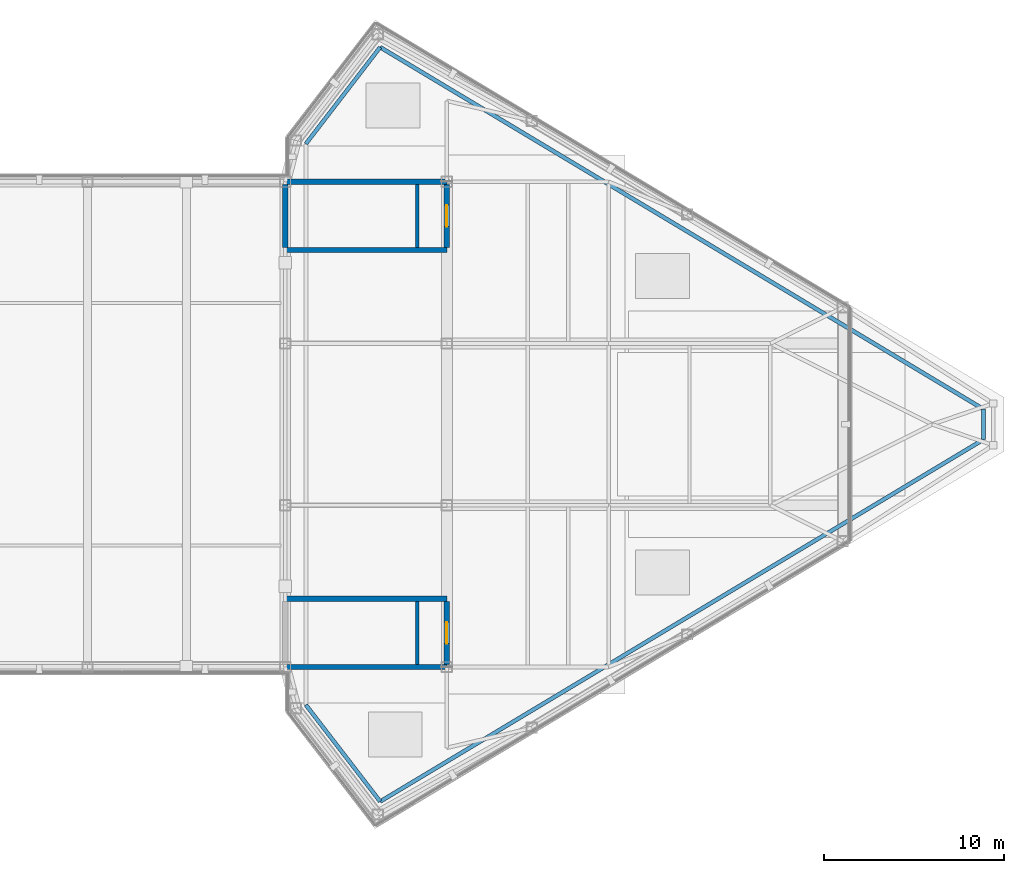
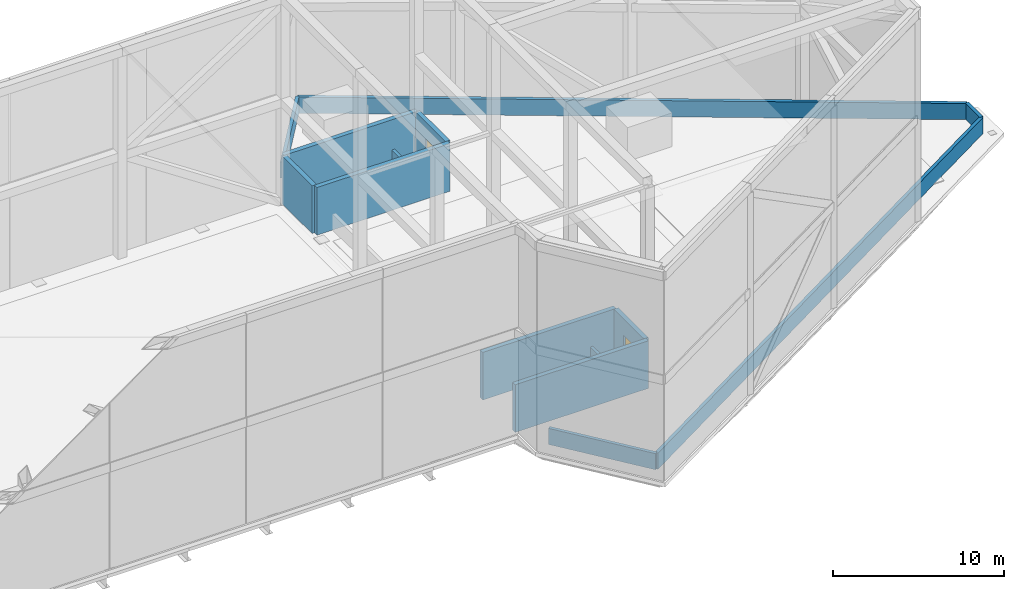
# One storey, part 9 of 16: 14 walls, 2 doors, 2 openings.
"""IFC4 building model written with IfcOpenShell, lengths in metres."""

from ifc_helpers import new_model, si_unit, direction, frame, frame_2d, origin, place, context, subcontext, project, spatial, rectangle, extrude, source, transform, mapped, material, layer, layer_set, type_object, type_shapes, element, fill, save


model = new_model("IFC4")

# Units and contexts
model_context = context("Model", 3, precision=1e-05, world=origin(), true_north=direction((0.0, 1.0)))
body_context = subcontext(model_context, "Body", "Model", "MODEL_VIEW")
ifc_project = project(units=[si_unit("LENGTHUNIT", "METRE"), si_unit("AREAUNIT", "SQUARE_METRE"), si_unit("VOLUMEUNIT", "CUBIC_METRE"), si_unit("PLANEANGLEUNIT", "RADIAN"), si_unit("MASSUNIT", "GRAM", prefix="KILO")], contexts=[model_context])

# Site, building, storey
site_placement = place(None, origin())
site = spatial("IfcSite", under=ifc_project, at=site_placement, CompositionType="ELEMENT")
building_placement = place(site_placement, origin())
building = spatial("IfcBuilding", under=site, at=building_placement, Name="Seokmaru Belvedere", CompositionType="ELEMENT")
storey_placement = place(building_placement, frame((0.0, 0.0, 279.0)))
storey = spatial("IfcBuildingStorey", under=building, at=storey_placement, Name="RF", CompositionType="ELEMENT", Elevation=279.0)

# Walls
ifc_material_1 = material(Name="Concrete C50 (50 MPa)", Category="concrete")
ifc_layer_1 = layer(ifc_material_1, 0.300048828125)
ifc_layer_set_1 = layer_set([ifc_layer_1], Name="Concrete C50 (50 MPa)")
wall_type_1 = type_object("IfcWallType", Name="Internal Core Stair and Hoistway Wall 300", PredefinedType="SHEAR", material=ifc_layer_set_1)
for number, where, z_axis, x_axis, name in (
    (1, (27.5, -13.5, 0.0), (0.0, 0.0, 1.0), (1.0, 0.0, 0.0), "RF E Stair Shelter Outer Core Wall 1"),
    (2, (27.5, -9.699951171875, 0.0), (0.0, 0.0, 1.0), (1.0, 0.0, 0.0), "RF E Stair Shelter Inner Core Wall 1"),
):
    element("IfcWall", number, at=place(storey_placement, frame(where, z_axis=z_axis, x_axis=x_axis)), inside=storey, type_object=wall_type_1, Name=name, PredefinedType="SHEAR", context=body_context, shape_type="SweptSolid", body=[
        extrude(rectangle(XDim=9.0, YDim=0.300048828125, at=frame_2d((4.5, 0.0))), origin(), (0.0, 0.0, 1.0), 3.39990234375),
    ])

# Wall, opening, door
wall_1_placement = place(storey_placement, frame((36.5, -13.35009765625, 0.0), z_axis=(0.0, 0.0, 1.0), x_axis=(0.0, 1.0, 0.0)))
wall_1 = element("IfcWall", 3, at=wall_1_placement, inside=storey, type_object=wall_type_1, Name="RF E Stair Shelter East Core Wall 1", PredefinedType="SHEAR", context=body_context, shape_type="SweptSolid", body=[
    extrude(rectangle(XDim=3.5, YDim=0.300048828125, at=frame_2d((1.75, 0.0))), origin(), (0.0, 0.0, 1.0), 3.39990234375),
])
opening_1_placement = place(wall_1_placement, frame((1.14990234375, 0.0, 0.0)))
opening_1 = element("IfcOpeningElement", 4, at=opening_1_placement, cuts=wall_1, Name="Opening RH1", PredefinedType="OPENING", context=body_context, shape_type="SweptSolid", body=[
    extrude(rectangle(XDim=1.199951171875, YDim=2.199951171875, at=frame_2d((0.60009765625, 1.10009765625))), frame((0.0, 0.16015625, 0.0), z_axis=(0.0, -1.0, 0.0), x_axis=(1.0, 0.0, 0.0)), (0.0, 0.0, 1.0), 0.320068359375),
])
ifc_material_2 = material(Name="Fire-Rated Steel Leaf", Category="steel")
door_type = type_object("IfcDoorType", Name="Weatherproof Fire-Rated Roof Access Trapdoor 1200x2200", OperationType="NOTDEFINED", PredefinedType="TRAPDOOR", material=ifc_material_2)
shared_shape = source(origin(), body_context, "Body", "SweptSolid", [
    extrude(rectangle(XDim=1.199951171875, YDim=2.199951171875, at=frame_2d((0.60009765625, 1.10009765625))), frame((0.0, 0.02490234375, 0.0), z_axis=(0.0, -1.0, 0.0), x_axis=(1.0, 0.0, 0.0)), (0.0, 0.0, 1.0), 0.050048828125),
])
type_shapes(door_type, [shared_shape])
door_1_placement = place(opening_1_placement, frame((1.199951171875, 0.0, 0.0), z_axis=(0.0, 0.0, 1.0), x_axis=(-1.0, 0.0, 0.0)))
door_1 = element("IfcDoor", 5, at=door_1_placement, inside=storey, type_object=door_type, Name="RF East Stair ST-E1 Roof Access Door", OperationType="SINGLE_SWING_RIGHT", OverallHeight=2.199951171875, OverallWidth=1.199951171875, PredefinedType="TRAPDOOR", context=body_context, shape_type="MappedRepresentation", body=[
    mapped(shared_shape, transform((0.0, 0.0, 0.0), scale=1.0)),
])
fill(opening_1, door_1)

# Walls
for number, where, z_axis, x_axis, name in (
    (6, (27.5, 13.5, 0.0), (0.0, 0.0, 1.0), (1.0, 0.0, 0.0), "RF E Stair Shelter Outer Core Wall 2"),
    (7, (27.5, 9.699951171875, 0.0), (0.0, 0.0, 1.0), (1.0, 0.0, 0.0), "RF E Stair Shelter Inner Core Wall 2"),
):
    element("IfcWall", number, at=place(storey_placement, frame(where, z_axis=z_axis, x_axis=x_axis)), inside=storey, type_object=wall_type_1, Name=name, PredefinedType="SHEAR", context=body_context, shape_type="SweptSolid", body=[
        extrude(rectangle(XDim=9.0, YDim=0.300048828125, at=frame_2d((4.5, 0.0))), origin(), (0.0, 0.0, 1.0), 3.39990234375),
    ])
wall_2_placement = place(storey_placement, frame((27.5, 9.85009765625, 0.0), z_axis=(0.0, 0.0, 1.0), x_axis=(0.0, 1.0, 0.0)))
element("IfcWall", 8, at=wall_2_placement, inside=storey, type_object=wall_type_1, Name="RF E Stair Shelter West Core Wall 2", PredefinedType="SHEAR", context=body_context, shape_type="SweptSolid", body=[
    extrude(rectangle(XDim=3.5, YDim=0.300048828125, at=frame_2d((1.75, 0.0))), origin(), (0.0, 0.0, 1.0), 3.39990234375),
])

# Wall, opening, door
wall_3_placement = place(storey_placement, frame((36.5, 9.85009765625, 0.0), z_axis=(0.0, 0.0, 1.0), x_axis=(0.0, 1.0, 0.0)))
wall_3 = element("IfcWall", 9, at=wall_3_placement, inside=storey, type_object=wall_type_1, Name="RF E Stair Shelter East Core Wall 2", PredefinedType="SHEAR", context=body_context, shape_type="SweptSolid", body=[
    extrude(rectangle(XDim=3.5, YDim=0.300048828125, at=frame_2d((1.75, 0.0))), origin(), (0.0, 0.0, 1.0), 3.39990234375),
])
opening_2_placement = place(wall_3_placement, frame((1.14990234375, 0.0, 0.0)))
opening_2 = element("IfcOpeningElement", 10, at=opening_2_placement, cuts=wall_3, Name="Opening RH1", PredefinedType="OPENING", context=body_context, shape_type="SweptSolid", body=[
    extrude(rectangle(XDim=1.199951171875, YDim=2.199951171875, at=frame_2d((0.60009765625, 1.10009765625))), frame((0.0, 0.16015625, 0.0), z_axis=(0.0, -1.0, 0.0), x_axis=(1.0, 0.0, 0.0)), (0.0, 0.0, 1.0), 0.320068359375),
])
door_2_placement = place(opening_2_placement, frame((1.199951171875, 0.0, 0.0), z_axis=(0.0, 0.0, 1.0), x_axis=(-1.0, 0.0, 0.0)))
door_2 = element("IfcDoor", 11, at=door_2_placement, inside=storey, type_object=door_type, Name="RF East Stair ST-E2 Roof Access Door", OperationType="SINGLE_SWING_LEFT", OverallHeight=2.199951171875, OverallWidth=1.199951171875, PredefinedType="TRAPDOOR", context=body_context, shape_type="MappedRepresentation", body=[
    mapped(shared_shape, transform((0.0, 0.0, 0.0), scale=1.0)),
])
fill(opening_2, door_2)

# Walls
ifc_material_3 = material(Name="Concrete C40 (40 MPa)", Category="concrete")
ifc_layer_2 = layer(ifc_material_3, 0.219970703125)
ifc_layer_set_2 = layer_set([ifc_layer_2], Name="Concrete C40 (40 MPa)")
wall_type_2 = type_object("IfcWallType", Name="Refuge and Roof Concrete Parapet 220", PredefinedType="PARAPET", material=ifc_layer_set_2)
wall_4_placement = place(storey_placement, frame((32.786865234375, -20.98681640625, 0.0), z_axis=(0.0, 0.0, 1.0), x_axis=(0.857492925713, 0.514495755428, 0.0)))
element("IfcWall", 12, at=wall_4_placement, inside=storey, type_object=wall_type_2, Name="RF E Plant Deck Curb Parapet 1", PredefinedType="PARAPET", context=body_context, shape_type="SweptSolid", body=[
    extrude(rectangle(XDim=39.14111328125, YDim=0.219970703125, at=frame_2d((19.570556640625, 0.0))), origin(), (0.0, 0.0, 1.0), 1.14990234375),
])
wall_5_placement = place(storey_placement, frame((66.35009765625, -0.848876953125, 0.0), z_axis=(0.0, 0.0, 1.0), x_axis=(0.0, 1.0, 0.0)))
element("IfcWall", 13, at=wall_5_placement, inside=storey, type_object=wall_type_2, Name="RF E Plant Deck Curb Parapet 2", PredefinedType="PARAPET", context=body_context, shape_type="SweptSolid", body=[
    extrude(rectangle(XDim=1.69775390625, YDim=0.219970703125, at=frame_2d((0.848876953125, 0.0))), origin(), (0.0, 0.0, 1.0), 1.14990234375),
])
wall_6_placement = place(storey_placement, frame((66.35009765625, 0.848876953125, 0.0), z_axis=(0.0, 0.0, 1.0), x_axis=(-0.857492925713, 0.514495755428, 0.0)))
element("IfcWall", 14, at=wall_6_placement, inside=storey, type_object=wall_type_2, Name="RF E Plant Deck Curb Parapet 3", PredefinedType="PARAPET", context=body_context, shape_type="SweptSolid", body=[
    extrude(rectangle(XDim=39.14111328125, YDim=0.219970703125, at=frame_2d((19.570556640625, 0.0))), origin(), (0.0, 0.0, 1.0), 1.14990234375),
])
for number, where, z_axis, x_axis, name in (
    (15, (32.786865234375, 20.98681640625, 0.0), (0.0, 0.0, 1.0), (-0.609719455412, -0.792617300904, 0.0), "RF E Plant Deck Curb Parapet 4"),
    (16, (28.64990234375, -15.60888671875, 0.0), (0.0, 0.0, 1.0), (0.609719455412, -0.792617300904, 0.0), "RF E Plant Deck Curb Parapet 6"),
):
    element("IfcWall", number, at=place(storey_placement, frame(where, z_axis=z_axis, x_axis=x_axis)), inside=storey, type_object=wall_type_2, Name=name, PredefinedType="PARAPET", context=body_context, shape_type="SweptSolid", body=[
        extrude(rectangle(XDim=6.784912109375, YDim=0.219970703125, at=frame_2d((3.392578125, 0.0))), origin(), (0.0, 0.0, 1.0), 1.14990234375),
    ])
ifc_layer_3 = layer(ifc_material_3, 0.18994140625)
ifc_layer_set_3 = layer_set([ifc_layer_3], Name="Concrete C40 (40 MPa)")
wall_type_3 = type_object("IfcWallType", Name="Roof Stair Curb Concrete Parapet 190", PredefinedType="PARAPET", material=ifc_layer_set_3)
for number, where, z_axis, x_axis, name in (
    (17, (34.85009765625, -13.35009765625, 0.0), (0.0, 0.0, 1.0), (0.0, 1.0, 0.0), "RF E Stair Top Well Curb Parapet 1"),
    (18, (34.85009765625, 9.85009765625, 0.0), (0.0, 0.0, 1.0), (0.0, 1.0, 0.0), "RF E Stair Top Well Curb Parapet 2"),
):
    element("IfcWall", number, at=place(storey_placement, frame(where, z_axis=z_axis, x_axis=x_axis)), inside=storey, type_object=wall_type_3, Name=name, PredefinedType="PARAPET", context=body_context, shape_type="SweptSolid", body=[
        extrude(rectangle(XDim=3.5, YDim=0.18994140625, at=frame_2d((1.75, 0.0))), origin(), (0.0, 0.0, 1.0), 1.25),
    ])

save(model, "model.ifc")
